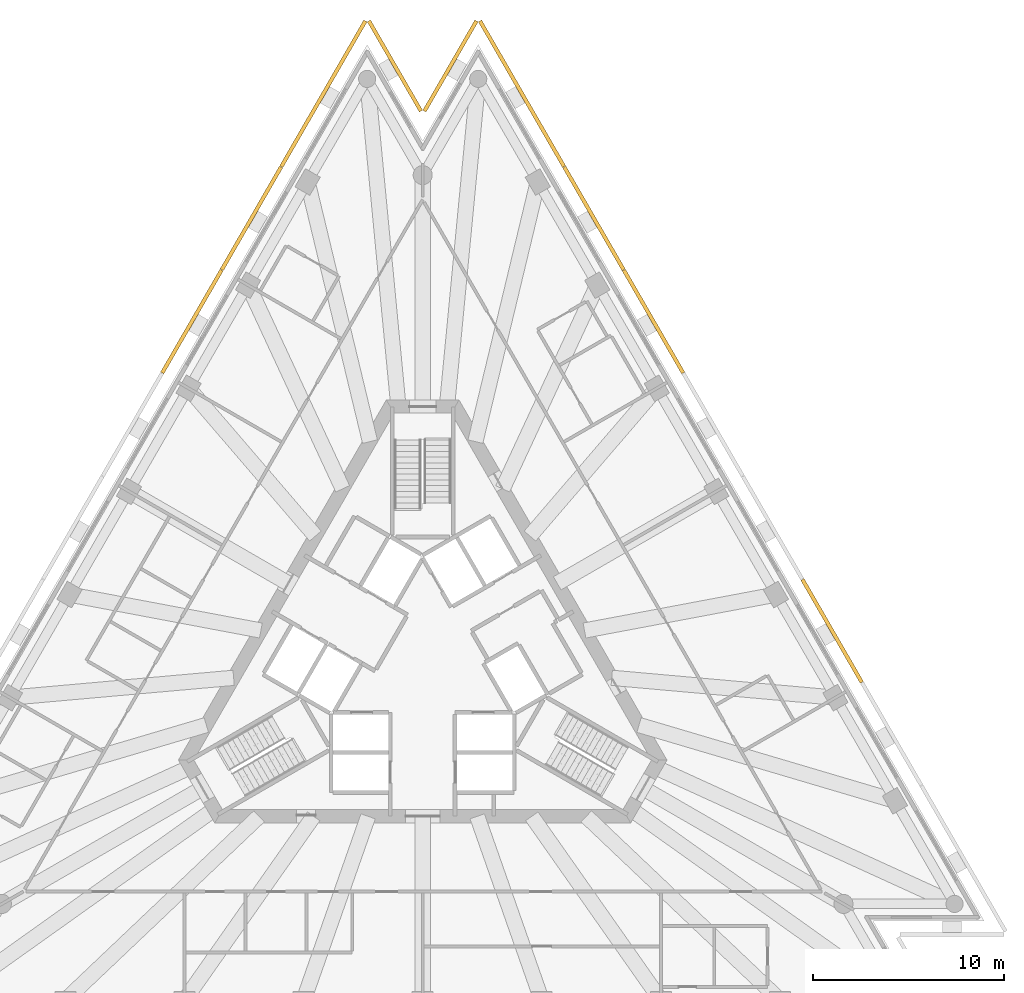
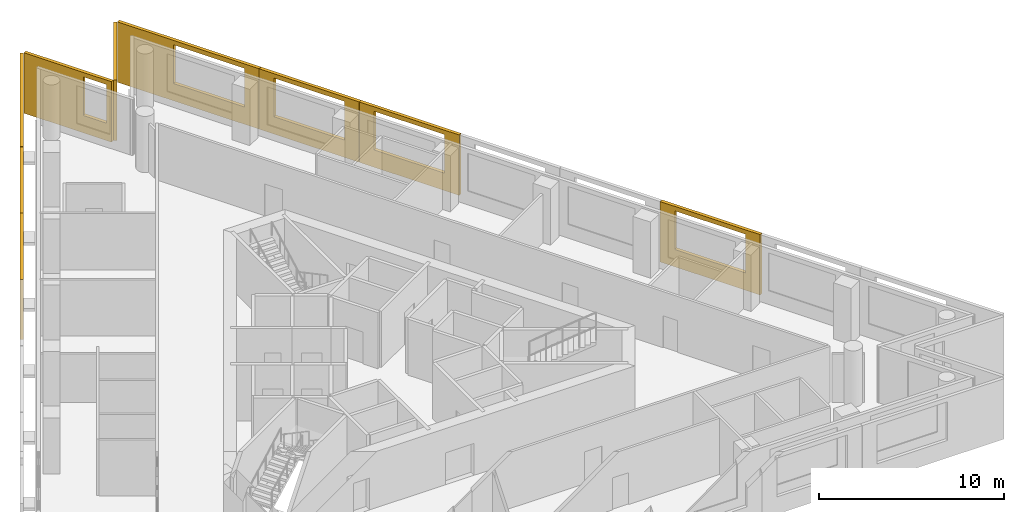
# One storey, part 10 of 10: 9 shading devices.
"""IFC4 building model written with IfcOpenShell, lengths in metres."""

from ifc_helpers import new_model, si_unit, direction, frame, origin, place, context, subcontext, project, spatial, polyline, outline, extrude, material, layer, layer_set, type_object, element, save


model = new_model("IFC4")

# Units and contexts
model_context = context("Model", 3, precision=1e-05, world=origin(), true_north=direction((0.0, 1.0)))
body_context = subcontext(model_context, "Body", "Model", "MODEL_VIEW")
ifc_project = project(units=[si_unit("LENGTHUNIT", "METRE"), si_unit("AREAUNIT", "SQUARE_METRE"), si_unit("VOLUMEUNIT", "CUBIC_METRE"), si_unit("PLANEANGLEUNIT", "RADIAN"), si_unit("MASSUNIT", "GRAM", prefix="KILO")], contexts=[model_context])

# Site, building, storey
site_placement = place(None, origin())
site = spatial("IfcSite", under=ifc_project, at=site_placement, CompositionType="ELEMENT")
building_placement = place(site_placement, origin())
building = spatial("IfcBuilding", under=site, at=building_placement, Name="Triada Interchange Tower", CompositionType="ELEMENT")
storey_placement = place(building_placement, frame((0.0, 0.0, 199.300048828125)))
storey = spatial("IfcBuildingStorey", under=building, at=storey_placement, Name="L46", CompositionType="ELEMENT", Elevation=199.300048828125)

# Shading devices
ifc_material = material(Name="Concrete C50/60 precast", Category="concrete")
ifc_layer_1 = layer(ifc_material, 0.02001953125, Name="Exposed aggregate face")
ifc_layer_2 = layer(ifc_material, 0.179931640625, Name="Precast concrete screen")
ifc_layer_set = layer_set([ifc_layer_1, ifc_layer_2], Name="Outer skin screen panel 3980")
shading_device_type = type_object("IfcShadingDeviceType", Name="Outer skin screen panel 3980", PredefinedType="SHUTTER", material=ifc_layer_set)
shading_device_1_placement = place(storey_placement, frame((-2.9189453125, 33.532958984375, -0.2900390625), z_axis=(0.0, 0.0, 1.0), x_axis=(-0.500030549092, -0.866007765539, 0.0)))
element("IfcShadingDevice", 1, at=shading_device_1_placement, inside=storey, type_object=shading_device_type, Name="Outer skin screen panel L46 01", PredefinedType="SHUTTER", context=body_context, shape_type="SweptSolid", body=[
    extrude(outline(polyline([(0.0, 0.0), (8.82568359375, 0.0), (8.82568359375, 3.97998046875), (0.0, 3.97998046875), (0.0, 0.0)]), holes=[polyline([(3.5126953125, 1.139892578125), (3.5126953125, 3.68994140625), (7.91259765625, 3.68994140625), (7.91259765625, 1.139892578125), (3.5126953125, 1.139892578125)])]), frame((0.0, 0.0, 0.0), z_axis=(0.0, -1.0, 0.0), x_axis=(1.0, 0.0, 0.0)), (0.0, 0.0, 1.0), 0.199951171875),
])
shading_device_2_placement = place(storey_placement, frame((-7.342041015625, 25.8720703125, -0.2900390625), z_axis=(0.0, 0.0, 1.0), x_axis=(-0.499971281829, -0.866041983593, 0.0)))
element("IfcShadingDevice", 2, at=shading_device_2_placement, inside=storey, type_object=shading_device_type, Name="Outer skin screen panel L46 02", PredefinedType="SHUTTER", context=body_context, shape_type="SweptSolid", body=[
    extrude(outline(polyline([(0.0, 0.0), (6.228271484375, 0.0), (6.228271484375, 3.97998046875), (0.0, 3.97998046875), (0.0, 0.0)]), holes=[polyline([(0.914306640625, 1.139892578125), (0.914306640625, 3.68994140625), (5.314208984375, 3.68994140625), (5.314208984375, 1.139892578125), (0.914306640625, 1.139892578125)])]), frame((0.0, 0.0, 0.0), z_axis=(0.0, -1.0, 0.0), x_axis=(1.0, 0.0, 0.0)), (0.0, 0.0, 1.0), 0.199951171875),
])
shading_device_3_placement = place(storey_placement, frame((-10.466064453125, 20.4609375, -0.2900390625), z_axis=(0.0, 0.0, 1.0), x_axis=(-0.499971281829, -0.866041983593, 0.0)))
element("IfcShadingDevice", 3, at=shading_device_3_placement, inside=storey, type_object=shading_device_type, Name="Outer skin screen panel L46 03", PredefinedType="SHUTTER", context=body_context, shape_type="SweptSolid", body=[
    extrude(outline(polyline([(0.0, 0.0), (6.228271484375, 0.0), (6.228271484375, 3.97998046875), (0.0, 3.97998046875), (0.0, 0.0)]), holes=[polyline([(0.9140625, 1.139892578125), (0.9140625, 3.68994140625), (5.31396484375, 3.68994140625), (5.31396484375, 1.139892578125), (0.9140625, 1.139892578125)])]), frame((0.0, 0.0, 0.0), z_axis=(0.0, -1.0, 0.0), x_axis=(1.0, 0.0, 0.0)), (0.0, 0.0, 1.0), 0.199951171875),
])
shading_device_4_placement = place(storey_placement, frame((22.952880859375, -1.166015625, -0.2900390625), z_axis=(0.0, 0.0, 1.0), x_axis=(-0.499941881293, 0.866058956036, 0.0)))
element("IfcShadingDevice", 4, at=shading_device_4_placement, inside=storey, type_object=shading_device_type, Name="Outer skin screen panel L46 23", PredefinedType="SHUTTER", context=body_context, shape_type="SweptSolid", body=[
    extrude(outline(polyline([(0.0, 0.0), (6.228271484375, 0.0), (6.228271484375, 3.97998046875), (0.0, 3.97998046875), (0.0, 0.0)]), holes=[polyline([(0.913818359375, 1.139892578125), (0.913818359375, 3.68994140625), (5.313720703125, 3.68994140625), (5.313720703125, 1.139892578125), (0.913818359375, 1.139892578125)])]), frame((0.0, 0.0, 0.0), z_axis=(0.0, -1.0, 0.0), x_axis=(1.0, 0.0, 0.0)), (0.0, 0.0, 1.0), 0.199951171875),
])
shading_device_5_placement = place(storey_placement, frame((13.580078125, 15.06689453125, -0.2900390625), z_axis=(0.0, 0.0, 1.0), x_axis=(-0.499971281829, 0.866041983593, 0.0)))
element("IfcShadingDevice", 5, at=shading_device_5_placement, inside=storey, type_object=shading_device_type, Name="Outer skin screen panel L46 26", PredefinedType="SHUTTER", context=body_context, shape_type="SweptSolid", body=[
    extrude(outline(polyline([(0.0, 0.0), (6.228271484375, 0.0), (6.228271484375, 3.97998046875), (0.0, 3.97998046875), (0.0, 0.0)]), holes=[polyline([(0.9140625, 1.139892578125), (0.9140625, 3.68994140625), (5.314208984375, 3.68994140625), (5.314208984375, 1.139892578125), (0.9140625, 1.139892578125)])]), frame((0.0, 0.0, 0.0), z_axis=(0.0, -1.0, 0.0), x_axis=(1.0, 0.0, 0.0)), (0.0, 0.0, 1.0), 0.199951171875),
])
shading_device_6_placement = place(storey_placement, frame((10.4560546875, 20.47802734375, -0.2900390625), z_axis=(0.0, 0.0, 1.0), x_axis=(-0.499971281829, 0.866041983593, 0.0)))
element("IfcShadingDevice", 6, at=shading_device_6_placement, inside=storey, type_object=shading_device_type, Name="Outer skin screen panel L46 27", PredefinedType="SHUTTER", context=body_context, shape_type="SweptSolid", body=[
    extrude(outline(polyline([(0.0, 0.0), (6.228271484375, 0.0), (6.228271484375, 3.97998046875), (0.0, 3.97998046875), (0.0, 0.0)]), holes=[polyline([(0.913818359375, 1.139892578125), (0.913818359375, 3.68994140625), (5.313720703125, 3.68994140625), (5.313720703125, 1.139892578125), (0.913818359375, 1.139892578125)])]), frame((0.0, 0.0, 0.0), z_axis=(0.0, -1.0, 0.0), x_axis=(1.0, 0.0, 0.0)), (0.0, 0.0, 1.0), 0.199951171875),
])
shading_device_7_placement = place(storey_placement, frame((7.33203125, 25.889892578125, -0.2900390625), z_axis=(0.0, 0.0, 1.0), x_axis=(-0.500030549092, 0.866007765539, 0.0)))
element("IfcShadingDevice", 7, at=shading_device_7_placement, inside=storey, type_object=shading_device_type, Name="Outer skin screen panel L46 28", PredefinedType="SHUTTER", context=body_context, shape_type="SweptSolid", body=[
    extrude(outline(polyline([(0.0, 0.0), (8.82568359375, 0.0), (8.82568359375, 3.97998046875), (0.0, 3.97998046875), (0.0, 0.0)]), holes=[polyline([(0.91357421875, 1.139892578125), (0.91357421875, 3.68994140625), (5.313720703125, 3.68994140625), (5.313720703125, 1.139892578125), (0.91357421875, 1.139892578125)])]), frame((0.0, 0.0, 0.0), z_axis=(0.0, -1.0, 0.0), x_axis=(1.0, 0.0, 0.0)), (0.0, 0.0, 1.0), 0.199951171875),
])
shading_device_8_placement = place(storey_placement, frame((2.908935546875, 33.532958984375, -0.2900390625), z_axis=(0.0, 0.0, 1.0), x_axis=(-0.500091376525, -0.865972641095, 0.0)))
element("IfcShadingDevice", 8, at=shading_device_8_placement, inside=storey, type_object=shading_device_type, Name="Outer skin screen panel L46 29", PredefinedType="SHUTTER", context=body_context, shape_type="SweptSolid", body=[
    extrude(outline(polyline([(0.0, 0.0), (5.4609375, 0.0), (5.4609375, 3.97998046875), (0.0, 3.97998046875), (0.0, 0.0)]), holes=[polyline([(3.175537109375, 1.139892578125), (3.175537109375, 3.68994140625), (5.161376953125, 3.68994140625), (5.161376953125, 1.139892578125), (3.175537109375, 1.139892578125)])]), frame((0.0, 0.0, 0.0), z_axis=(0.0, -1.0, 0.0), x_axis=(1.0, 0.0, 0.0)), (0.0, 0.0, 1.0), 0.199951171875),
])
shading_device_9_placement = place(storey_placement, frame((-0.177978515625, 28.803955078125, -0.2900390625), z_axis=(0.0, 0.0, 1.0), x_axis=(-0.500091376525, 0.865972641095, 0.0)))
element("IfcShadingDevice", 9, at=shading_device_9_placement, inside=storey, type_object=shading_device_type, Name="Outer skin screen panel L46 30", PredefinedType="SHUTTER", context=body_context, shape_type="SweptSolid", body=[
    extrude(outline(polyline([(0.0, 0.0), (5.4609375, 0.0), (5.4609375, 3.97998046875), (0.0, 3.97998046875), (0.0, 0.0)]), holes=[polyline([(0.300048828125, 1.139892578125), (0.300048828125, 3.68994140625), (1.7578125, 3.68994140625), (1.7578125, 1.139892578125), (0.300048828125, 1.139892578125)])]), frame((0.0, 0.0, 0.0), z_axis=(0.0, -1.0, 0.0), x_axis=(1.0, 0.0, 0.0)), (0.0, 0.0, 1.0), 0.199951171875),
])

save(model, "model.ifc")
